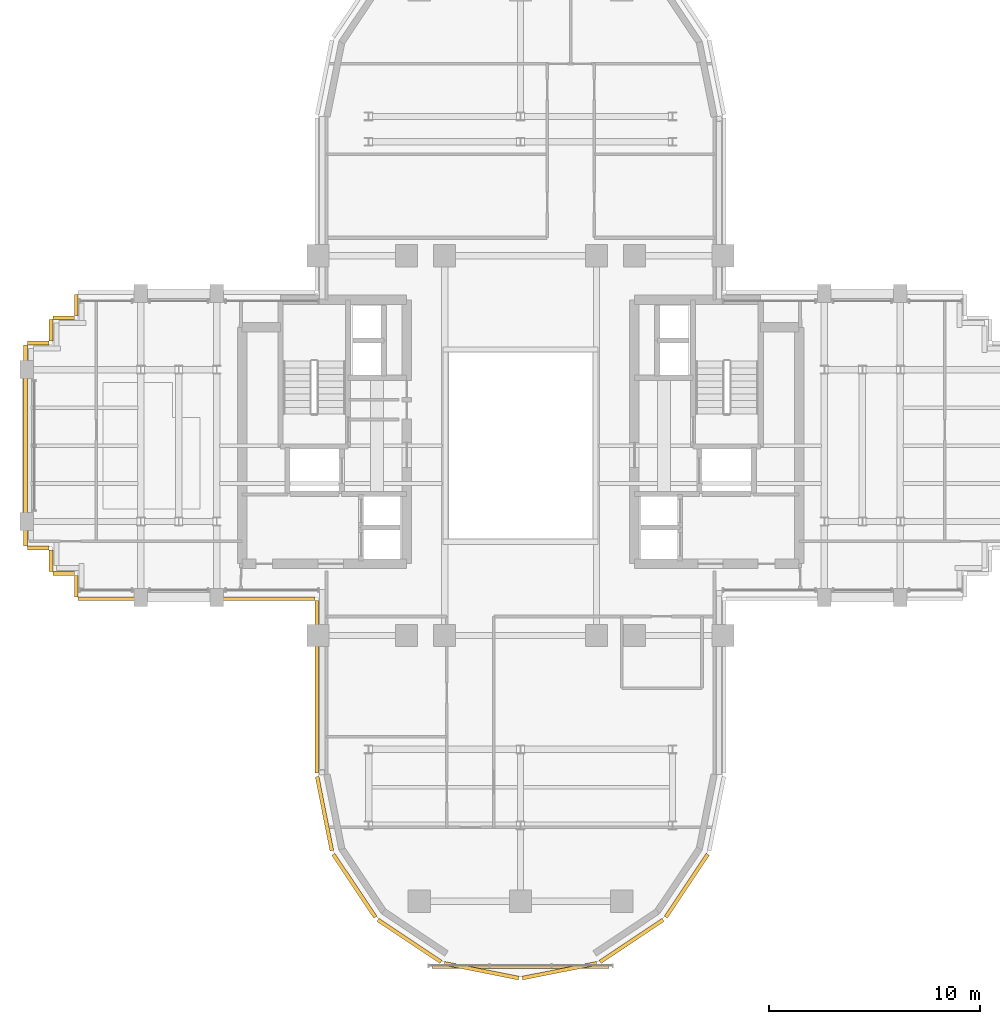
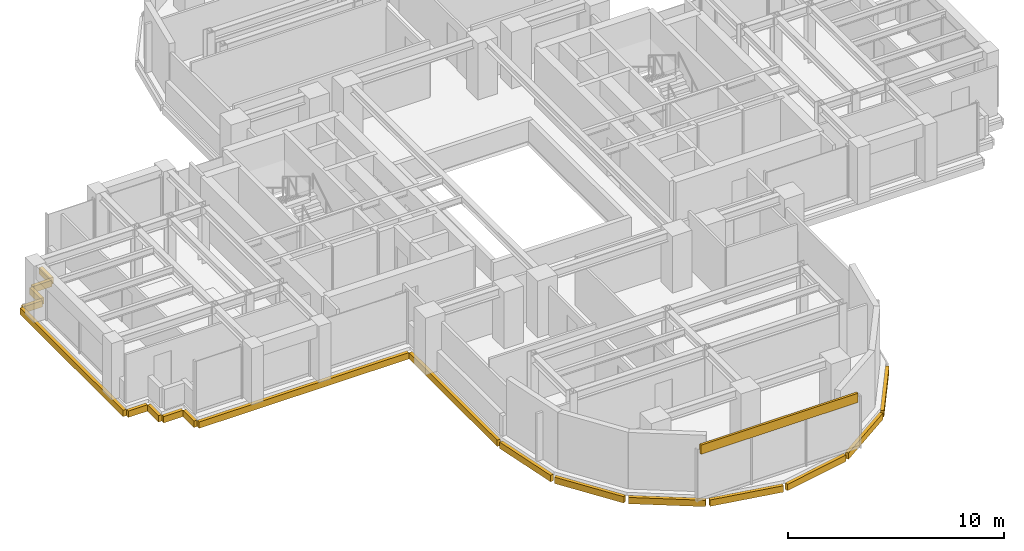
# One storey, part 12 of 14: 19 coverings.
"""IFC4 building model written with IfcOpenShell, lengths in metres."""

from ifc_helpers import new_model, si_unit, direction, frame, origin, origin_2d, place, context, subcontext, project, spatial, rectangle, extrude, source, transform, mapped, material, layer, layer_set, type_object, element, save


model = new_model("IFC4")

# Units and contexts
model_context = context("Model", 3, precision=1e-05, world=origin(), true_north=direction((0.0, 1.0)))
body_context = subcontext(model_context, "Body", "Model", "MODEL_VIEW")
ifc_project = project(units=[si_unit("LENGTHUNIT", "METRE"), si_unit("AREAUNIT", "SQUARE_METRE"), si_unit("VOLUMEUNIT", "CUBIC_METRE"), si_unit("PLANEANGLEUNIT", "RADIAN"), si_unit("MASSUNIT", "GRAM", prefix="KILO")], contexts=[model_context])

# Site, building, storey
site_placement = place(None, origin())
site = spatial("IfcSite", under=ifc_project, at=site_placement, CompositionType="ELEMENT")
building_placement = place(site_placement, origin())
building = spatial("IfcBuilding", under=site, at=building_placement, Name="Keilestroom Media Tower", CompositionType="ELEMENT")
storey_placement = place(building_placement, frame((0.0, 0.0, 110.800048828125)))
storey = spatial("IfcBuildingStorey", under=building, at=storey_placement, Name="L29", CompositionType="ELEMENT", Elevation=110.800048828125)

# Coverings
ifc_material = material(Name="Precast concrete C40/50", Category="concrete")
ifc_layer = layer(ifc_material, 0.1201171875)
ifc_layer_set = layer_set([ifc_layer], Name="Precast concrete C40/50")
covering_type = type_object("IfcCoveringType", Name="Exterior-Precast-Spandrel-Cladding-Panel-120", PredefinedType="CLADDING", material=ifc_layer_set)
shared_shape_1 = source(origin(), body_context, "Body", "SweptSolid", [
    extrude(rectangle(XDim=8.39990234375, YDim=0.1201171875, at=origin_2d()), origin(), (0.0, 0.0, 1.0), 0.52001953125),
])
covering_1_placement = place(storey_placement, frame((0.0, -24.719970703125, 2.68994140625), z_axis=(0.0, 0.0, 1.0), x_axis=(1.0, 0.0, 0.0)))
element("IfcCovering", 1, at=covering_1_placement, inside=storey, type_object=covering_type, Name="L29 Precast Spandrel Cladding S", PredefinedType="CLADDING", context=body_context, shape_type="MappedRepresentation", body=[
    mapped(shared_shape_1, transform((0.0, 0.0, 0.0), x_axis=(1.0, 0.0, 0.0), y_axis=(0.0, 1.0, 0.0), z_axis=(0.0, 0.0, 1.0), scale=1.0)),
])
shared_shape_2 = source(origin(), body_context, "Body", "SweptSolid", [
    extrude(rectangle(XDim=1.02001953125, YDim=0.179931640625, at=origin_2d()), origin(), (0.0, 0.0, 1.0), 0.360107421875),
])
for number, where, z_axis, x_axis, name in (
    (2, (-21.06005859375, -6.659912109375, -0.5400390625), (0.0, 0.0, 1.0), (0.0, 1.0, 0.0), "L29 Precast Slab-Edge Fascia Cornice 17"),
    (3, (-21.659912109375, -6.06005859375, -0.5400390625), (0.0, 0.0, 1.0), (-1.0, 0.0, 0.0), "L29 Precast Slab-Edge Fascia Cornice 18"),
    (4, (-22.260009765625, -5.4599609375, -0.5400390625), (0.0, 0.0, 1.0), (0.0, 1.0, 0.0), "L29 Precast Slab-Edge Fascia Cornice 19"),
    (5, (-22.860107421875, -4.860107421875, -0.5400390625), (0.0, 0.0, 1.0), (-1.0, 0.0, 0.0), "L29 Precast Slab-Edge Fascia Cornice 20"),
    (6, (-22.860107421875, 4.860107421875, -0.5400390625), (0.0, 0.0, 1.0), (1.0, 0.0, 0.0), "L29 Precast Slab-Edge Fascia Cornice 22"),
    (7, (-22.260009765625, 5.4599609375, -0.5400390625), (0.0, 0.0, 1.0), (0.0, 1.0, 0.0), "L29 Precast Slab-Edge Fascia Cornice 23"),
    (8, (-21.659912109375, 6.06005859375, -0.5400390625), (0.0, 0.0, 1.0), (1.0, 0.0, 0.0), "L29 Precast Slab-Edge Fascia Cornice 24"),
    (9, (-21.06005859375, 6.659912109375, -0.5400390625), (0.0, 0.0, 1.0), (0.0, 1.0, 0.0), "L29 Precast Slab-Edge Fascia Cornice 25"),
):
    element("IfcCovering", number, at=place(storey_placement, frame(where, z_axis=z_axis, x_axis=x_axis)), inside=storey, type_object=covering_type, Name=name, PredefinedType="CLADDING", context=body_context, shape_type="MappedRepresentation", body=[
        mapped(shared_shape_2, transform((0.0, 0.0, 0.0), x_axis=(1.0, 0.0, 0.0), y_axis=(0.0, 1.0, 0.0), z_axis=(0.0, 0.0, 1.0), scale=1.0)),
    ])
shared_shape_3 = source(origin(), body_context, "Body", "SweptSolid", [
    extrude(rectangle(XDim=8.166015625, YDim=0.179931640625, at=origin_2d()), origin(), (0.0, 0.0, 1.0), 0.360107421875),
])
covering_2_placement = place(storey_placement, frame((-9.659912109375, -11.43310546875, -0.5400390625), z_axis=(0.0, 0.0, 1.0), x_axis=(0.0, 1.0, 0.0)))
element("IfcCovering", 10, at=covering_2_placement, inside=storey, type_object=covering_type, Name="L29 Precast Slab-Edge Fascia Cornice 15", PredefinedType="CLADDING", context=body_context, shape_type="MappedRepresentation", body=[
    mapped(shared_shape_3, transform((0.0, 0.0, 0.0), x_axis=(1.0, 0.0, 0.0), y_axis=(0.0, 1.0, 0.0), z_axis=(0.0, 0.0, 1.0), scale=1.0)),
])
shared_shape_4 = source(origin(), body_context, "Body", "SweptSolid", [
    extrude(rectangle(XDim=3.58349609375, YDim=0.179931640625, at=origin_2d()), origin(), (0.0, 0.0, 1.0), 0.360107421875),
])
covering_3_placement = place(storey_placement, frame((-9.29296875, -17.45166015625, -0.5400390625), z_axis=(0.0, 0.0, 1.0), x_axis=(-0.195098880975, 0.980783577882, 0.0)))
element("IfcCovering", 11, at=covering_3_placement, inside=storey, type_object=covering_type, Name="L29 Precast Slab-Edge Fascia Cornice 14", PredefinedType="CLADDING", context=body_context, shape_type="MappedRepresentation", body=[
    mapped(shared_shape_4, transform((0.0, 0.0, 0.0), x_axis=(1.0, 0.0, 0.0), y_axis=(0.0, 1.0, 0.0), z_axis=(0.0, 0.0, 1.0), scale=1.0)),
])
shared_shape_5 = source(origin(), body_context, "Body", "SweptSolid", [
    extrude(rectangle(XDim=3.589599609375, YDim=0.179931640625, at=origin_2d()), origin(), (0.0, 0.0, 1.0), 0.360107421875),
])
for number, where, z_axis, x_axis, name in (
    (12, (7.878662109375, -20.8642578125, -0.5400390625), (0.0, 0.0, 1.0), (-0.555574586577, -0.831466703332, 0.0), "L29 Precast Slab-Edge Fascia Cornice 08"),
    (13, (5.264404296875, -23.478515625, -0.5400390625), (0.0, 0.0, 1.0), (-0.831466703332, -0.555574586577, 0.0), "L29 Precast Slab-Edge Fascia Cornice 09"),
    (14, (1.8486328125, -24.893310546875, -0.5400390625), (0.0, 0.0, 1.0), (-0.980783577882, -0.195098880975, 0.0), "L29 Precast Slab-Edge Fascia Cornice 10"),
    (15, (-1.8486328125, -24.893310546875, -0.5400390625), (0.0, 0.0, 1.0), (-0.980783577882, 0.195098880975, 0.0), "L29 Precast Slab-Edge Fascia Cornice 11"),
    (16, (-5.264404296875, -23.478515625, -0.5400390625), (0.0, 0.0, 1.0), (-0.831466703332, 0.555574586577, 0.0), "L29 Precast Slab-Edge Fascia Cornice 12"),
    (17, (-7.878662109375, -20.8642578125, -0.5400390625), (0.0, 0.0, 1.0), (-0.555574586577, 0.831466703332, 0.0), "L29 Precast Slab-Edge Fascia Cornice 13"),
):
    element("IfcCovering", number, at=place(storey_placement, frame(where, z_axis=z_axis, x_axis=x_axis)), inside=storey, type_object=covering_type, Name=name, PredefinedType="CLADDING", context=body_context, shape_type="MappedRepresentation", body=[
        mapped(shared_shape_5, transform((0.0, 0.0, 0.0), x_axis=(1.0, 0.0, 0.0), y_axis=(0.0, 1.0, 0.0), z_axis=(0.0, 0.0, 1.0), scale=1.0)),
    ])
shared_shape_6 = source(origin(), body_context, "Body", "SweptSolid", [
    extrude(rectangle(XDim=9.5400390625, YDim=0.179931640625, at=origin_2d()), origin(), (0.0, 0.0, 1.0), 0.360107421875),
])
covering_4_placement = place(storey_placement, frame((-23.4599609375, 0.0, -0.5400390625), z_axis=(0.0, 0.0, 1.0), x_axis=(0.0, 1.0, 0.0)))
element("IfcCovering", 18, at=covering_4_placement, inside=storey, type_object=covering_type, Name="L29 Precast Slab-Edge Fascia Cornice 21", PredefinedType="CLADDING", context=body_context, shape_type="MappedRepresentation", body=[
    mapped(shared_shape_6, transform((0.0, 0.0, 0.0), x_axis=(1.0, 0.0, 0.0), y_axis=(0.0, 1.0, 0.0), z_axis=(0.0, 0.0, 1.0), scale=1.0)),
])
shared_shape_7 = source(origin(), body_context, "Body", "SweptSolid", [
    extrude(rectangle(XDim=11.219970703125, YDim=0.179931640625, at=origin_2d()), origin(), (0.0, 0.0, 1.0), 0.360107421875),
])
covering_5_placement = place(storey_placement, frame((-15.360107421875, -7.260009765625, -0.5400390625), z_axis=(0.0, 0.0, 1.0), x_axis=(-1.0, 0.0, 0.0)))
element("IfcCovering", 19, at=covering_5_placement, inside=storey, type_object=covering_type, Name="L29 Precast Slab-Edge Fascia Cornice 16", PredefinedType="CLADDING", context=body_context, shape_type="MappedRepresentation", body=[
    mapped(shared_shape_7, transform((0.0, 0.0, 0.0), x_axis=(1.0, 0.0, 0.0), y_axis=(0.0, 1.0, 0.0), z_axis=(0.0, 0.0, 1.0), scale=1.0)),
])

save(model, "model.ifc")
